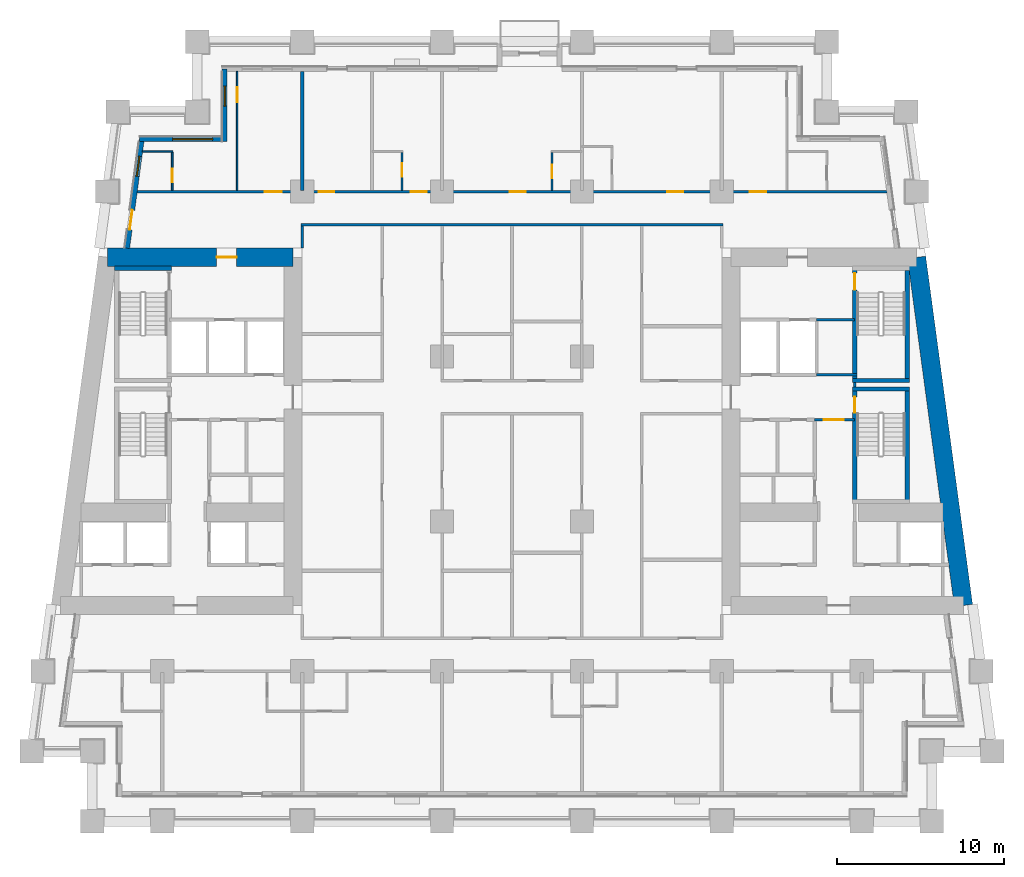
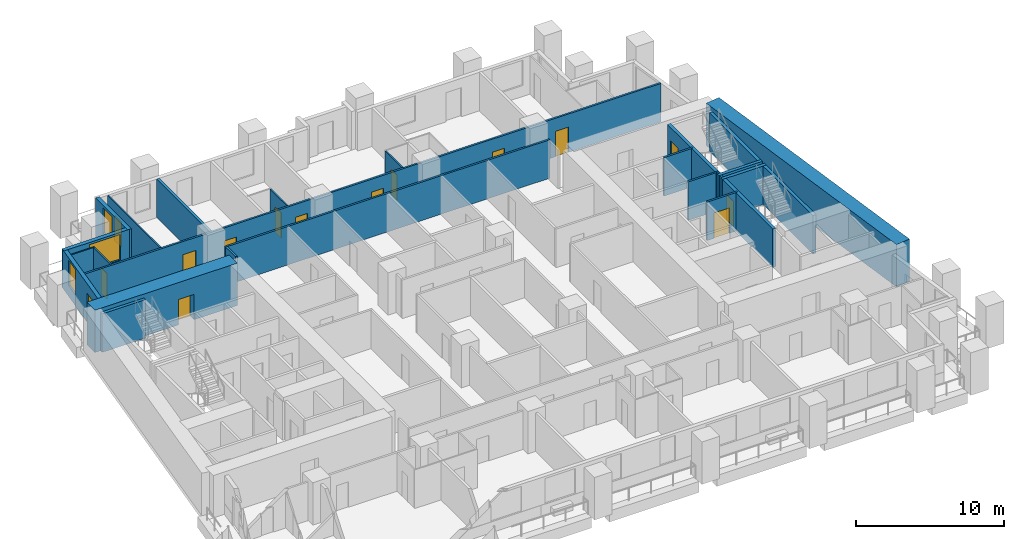
# One storey, part 6 of 13: 25 walls, 15 doors, 3 windows, 18 openings.
"""IFC4 building model written with IfcOpenShell, lengths in metres."""

from ifc_helpers import new_model, si_unit, direction, frame, frame_2d, origin, place, context, subcontext, project, spatial, rectangle, extrude, material, layer, layer_set, type_object, element, fill, save


model = new_model("IFC4")

# Units and contexts
model_context = context("Model", 3, precision=1e-05, world=origin(), true_north=direction((0.0, 1.0)))
body_context = subcontext(model_context, "Body", "Model", "MODEL_VIEW")
ifc_project = project(units=[si_unit("LENGTHUNIT", "METRE"), si_unit("AREAUNIT", "SQUARE_METRE"), si_unit("VOLUMEUNIT", "CUBIC_METRE"), si_unit("PLANEANGLEUNIT", "RADIAN"), si_unit("MASSUNIT", "GRAM", prefix="KILO")], contexts=[model_context])

# Site, building, storey
site_placement = place(None, origin())
site = spatial("IfcSite", under=ifc_project, at=site_placement, CompositionType="ELEMENT")
building_placement = place(site_placement, origin())
building = spatial("IfcBuilding", under=site, at=building_placement, Name="Candeia Pilgrim Tower and Theatre", CompositionType="ELEMENT")
storey_placement = place(building_placement, frame((0.0, 0.0, 56.5)))
storey = spatial("IfcBuildingStorey", under=building, at=storey_placement, Name="L11", CompositionType="ELEMENT", Elevation=56.5)

# Wall, opening, door
ifc_material_1 = material(Name="Concrete C80/95", Category="concrete")
ifc_layer_1 = layer(ifc_material_1, 1.10009765625)
ifc_layer_set_1 = layer_set([ifc_layer_1], Name="Core wall 1100 C80/95")
wall_type_1 = type_object("IfcWallType", Name="Core wall 1100 C80/95", PredefinedType="SHEAR", material=ifc_layer_set_1)
wall_1_placement = place(storey_placement, frame((89.111572265625, 131.85009765625, 0.0), z_axis=(0.0, 0.0, 1.0), x_axis=(1.0, 0.0, 0.0)))
wall_1 = element("IfcWall", 1, at=wall_1_placement, inside=storey, type_object=wall_type_1, Name="Core wall W1", PredefinedType="SHEAR", context=body_context, shape_type="SweptSolid", body=[
    extrude(rectangle(XDim=11.138427734375, YDim=1.10009765625, at=frame_2d((5.5693359375, 0.0))), origin(), (0.0, 0.0, 1.0), 3.5),
])
opening_1_placement = place(wall_1_placement, frame((6.5517578125, 0.0, 0.0)))
opening_1 = element("IfcOpeningElement", 2, at=opening_1_placement, cuts=wall_1, Name="Opening L11-D060", PredefinedType="OPENING", context=body_context, shape_type="SweptSolid", body=[
    extrude(rectangle(XDim=1.199951171875, YDim=2.10009765625, at=frame_2d((0.60009765625, 1.050048828125))), frame((0.0, 0.56005859375, 0.0), z_axis=(0.0, -1.0, 0.0), x_axis=(1.0, 0.0, 0.0)), (0.0, 0.0, 1.0), 1.1201171875),
])
ifc_material_2 = material(Name="Steel fire door set", Category="steel")
door_type_1 = type_object("IfcDoorType", Name="D-1200-FD60", OperationType="NOTDEFINED", PredefinedType="DOOR", material=ifc_material_2)
door_1_placement = place(opening_1_placement, origin())
door_1 = element("IfcDoor", 3, at=door_1_placement, inside=storey, type_object=door_type_1, Name="Door L11-D060", OperationType="SINGLE_SWING_LEFT", OverallHeight=2.10009765625, OverallWidth=1.199951171875, PredefinedType="DOOR", context=body_context, shape_type="SweptSolid", body=[
    extrude(rectangle(XDim=1.199951171875, YDim=2.10009765625, at=frame_2d((0.60009765625, 1.050048828125))), frame((0.0, 0.02490234375, 0.0), z_axis=(0.0, -1.0, 0.0), x_axis=(1.0, 0.0, 0.0)), (0.0, 0.0, 1.0), 0.050048828125),
])
fill(opening_1, door_1)

# Wall
wall_2_placement = place(storey_placement, frame((137.688232421875, 131.85009765625, 0.0), z_axis=(0.0, 0.0, 1.0), x_axis=(0.133411793472, -0.991060691059, 0.0)))
element("IfcWall", 4, at=wall_2_placement, inside=storey, type_object=wall_type_1, Name="Core wall E2", PredefinedType="SHEAR", context=body_context, shape_type="SweptSolid", body=[
    extrude(rectangle(XDim=21.088623046875, YDim=1.10009765625, at=frame_2d((10.54443359375, 0.0))), origin(), (0.0, 0.0, 1.0), 3.5),
])

# Wall, opening, window
ifc_material_3 = material(Name="Ceramic block masonry", Category="masonry")
ifc_layer_2 = layer(ifc_material_3, 0.300048828125)
ifc_layer_set_2 = layer_set([ifc_layer_2], Name="EW1 glazing-line wall 300")
wall_type_2 = type_object("IfcWallType", Name="EW1 glazing-line wall 300", PredefinedType="SOLIDWALL", material=ifc_layer_set_2)
wall_3_placement = place(storey_placement, frame((96.14990234375, 143.14990234375, 0.0), z_axis=(0.0, 0.0, 1.0), x_axis=(0.0, -1.0, 0.0)))
wall_3 = element("IfcWall", 5, at=wall_3_placement, inside=storey, type_object=wall_type_2, Name="External wall L11-7.0", PredefinedType="SOLIDWALL", context=body_context, shape_type="SweptSolid", body=[
    extrude(rectangle(XDim=4.349853515625, YDim=0.300048828125, at=frame_2d((2.1748046875, 0.0))), origin(), (0.0, 0.0, 1.0), 3.179931640625),
])
opening_2_placement = place(wall_3_placement, frame((1.02490234375, 0.0, 0.89990234375)))
opening_2 = element("IfcOpeningElement", 6, at=opening_2_placement, cuts=wall_3, Name="Opening W-B", PredefinedType="OPENING", context=body_context, shape_type="SweptSolid", body=[
    extrude(rectangle(XDim=1.199951171875, YDim=2.10009765625, at=frame_2d((0.60009765625, 1.050048828125))), frame((0.0, 0.16015625, 0.0), z_axis=(0.0, -1.0, 0.0), x_axis=(1.0, 0.0, 0.0)), (0.0, 0.0, 1.0), 0.320068359375),
])
ifc_material_4 = material(Name="Aluminium framed double glazing", Category="aluminium")
window_type_1 = type_object("IfcWindowType", Name="W-B window 1200x2100", PartitioningType="SINGLE_PANEL", PredefinedType="WINDOW", material=ifc_material_4)
window_1_placement = place(opening_2_placement, origin())
window_1 = element("IfcWindow", 7, at=window_1_placement, inside=storey, type_object=window_type_1, Name="Window W-B L11", OverallHeight=2.10009765625, OverallWidth=1.199951171875, PartitioningType="SINGLE_PANEL", PredefinedType="WINDOW", context=body_context, shape_type="SweptSolid", body=[
    extrude(rectangle(XDim=1.199951171875, YDim=2.10009765625, at=frame_2d((0.60009765625, 1.050048828125))), frame((0.0, 0.030029296875, 0.0), z_axis=(0.0, -1.0, 0.0), x_axis=(1.0, 0.0, 0.0)), (0.0, 0.0, 1.0), 0.06005859375),
])
fill(opening_2, window_1)

wall_4_placement = place(storey_placement, frame((96.14990234375, 138.949951171875, 0.0), z_axis=(0.0, 0.0, 1.0), x_axis=(-1.0, 0.0, 0.0)))
wall_4 = element("IfcWall", 8, at=wall_4_placement, inside=storey, type_object=wall_type_2, Name="External wall L11-8.0", PredefinedType="SOLIDWALL", context=body_context, shape_type="SweptSolid", body=[
    extrude(rectangle(XDim=5.103759765625, YDim=0.300048828125, at=frame_2d((2.5517578125, 0.0))), origin(), (0.0, 0.0, 1.0), 3.179931640625),
])
opening_3_placement = place(wall_4_placement, frame((0.72509765625, 0.0, 0.89990234375)))
opening_3 = element("IfcOpeningElement", 9, at=opening_3_placement, cuts=wall_4, Name="Opening W-A", PredefinedType="OPENING", context=body_context, shape_type="SweptSolid", body=[
    extrude(rectangle(XDim=2.39990234375, YDim=2.10009765625, at=frame_2d((1.199951171875, 1.050048828125))), frame((0.0, 0.16015625, 0.0), z_axis=(0.0, -1.0, 0.0), x_axis=(1.0, 0.0, 0.0)), (0.0, 0.0, 1.0), 0.320068359375),
])
window_type_2 = type_object("IfcWindowType", Name="W-A window 2400x2100", PartitioningType="DOUBLE_PANEL_VERTICAL", PredefinedType="WINDOW", material=ifc_material_4)
window_2_placement = place(opening_3_placement, origin())
window_2 = element("IfcWindow", 10, at=window_2_placement, inside=storey, type_object=window_type_2, Name="Window W-A L11", OverallHeight=2.10009765625, OverallWidth=2.39990234375, PartitioningType="SINGLE_PANEL", PredefinedType="WINDOW", context=body_context, shape_type="SweptSolid", body=[
    extrude(rectangle(XDim=2.39990234375, YDim=2.10009765625, at=frame_2d((1.199951171875, 1.050048828125))), frame((0.0, 0.030029296875, 0.0), z_axis=(0.0, -1.0, 0.0), x_axis=(1.0, 0.0, 0.0)), (0.0, 0.0, 1.0), 0.06005859375),
])
fill(opening_3, window_2)

# Wall, openings, door, window
wall_5_placement = place(storey_placement, frame((91.177490234375, 138.949951171875, 0.0), z_axis=(0.0, 0.0, 1.0), x_axis=(-0.133426664613, -0.991058689065, 0.0)))
wall_5 = element("IfcWall", 11, at=wall_5_placement, inside=storey, type_object=wall_type_2, Name="External wall L11-9.0", PredefinedType="SOLIDWALL", context=body_context, shape_type="SweptSolid", body=[
    extrude(rectangle(XDim=6.609130859375, YDim=0.300048828125, at=frame_2d((3.3046875, 0.0))), origin(), (0.0, 0.0, 1.0), 3.179931640625),
])
opening_4_placement = place(wall_5_placement, frame((1.039306640625, 0.0, 0.89990234375)))
opening_4 = element("IfcOpeningElement", 12, at=opening_4_placement, cuts=wall_5, Name="Opening W-B", PredefinedType="OPENING", context=body_context, shape_type="SweptSolid", body=[
    extrude(rectangle(XDim=1.199951171875, YDim=2.10009765625, at=frame_2d((0.60009765625, 1.050048828125))), frame((0.0, 0.16015625, 0.0), z_axis=(0.0, -1.0, 0.0), x_axis=(1.0, 0.0, 0.0)), (0.0, 0.0, 1.0), 0.320068359375),
])
opening_5_placement = place(wall_5_placement, frame((4.293701171875, 0.0, 0.0)))
opening_5 = element("IfcOpeningElement", 13, at=opening_5_placement, cuts=wall_5, Name="Opening L11-ED135", PredefinedType="OPENING", context=body_context, shape_type="SweptSolid", body=[
    extrude(rectangle(XDim=1.199951171875, YDim=2.39990234375, at=frame_2d((0.60009765625, 1.199951171875))), frame((0.0, 0.16015625, 0.0), z_axis=(0.0, -1.0, 0.0), x_axis=(1.0, 0.0, 0.0)), (0.0, 0.0, 1.0), 0.320068359375),
])
ifc_material_5 = material(Name="Aluminium framed glazed door", Category="aluminium")
door_type_2 = type_object("IfcDoorType", Name="Loggia door 1200x2400", OperationType="DOUBLE_DOOR_SINGLE_SWING", PredefinedType="DOOR", material=ifc_material_5)
door_2_placement = place(opening_5_placement, origin())
door_2 = element("IfcDoor", 14, at=door_2_placement, inside=storey, type_object=door_type_2, Name="Loggia door L11-ED135", OperationType="DOUBLE_DOOR_SINGLE_SWING", OverallHeight=2.39990234375, OverallWidth=1.199951171875, PredefinedType="DOOR", context=body_context, shape_type="SweptSolid", body=[
    extrude(rectangle(XDim=1.199951171875, YDim=2.39990234375, at=frame_2d((0.60009765625, 1.199951171875))), frame((0.0, 0.02490234375, 0.0), z_axis=(0.0, -1.0, 0.0), x_axis=(1.0, 0.0, 0.0)), (0.0, 0.0, 1.0), 0.050048828125),
])
fill(opening_5, door_2)
window_3_placement = place(opening_4_placement, origin())
window_3 = element("IfcWindow", 15, at=window_3_placement, inside=storey, type_object=window_type_1, Name="Window W-B L11", OverallHeight=2.10009765625, OverallWidth=1.199951171875, PartitioningType="SINGLE_PANEL", PredefinedType="WINDOW", context=body_context, shape_type="SweptSolid", body=[
    extrude(rectangle(XDim=1.199951171875, YDim=2.10009765625, at=frame_2d((0.60009765625, 1.050048828125))), frame((0.0, 0.030029296875, 0.0), z_axis=(0.0, -1.0, 0.0), x_axis=(1.0, 0.0, 0.0)), (0.0, 0.0, 1.0), 0.06005859375),
])
fill(opening_4, window_3)

# Wall
ifc_material_6 = material(Name="Gypsum board partition on steel studs", Category="steel")
ifc_layer_3 = layer(ifc_material_6, 0.10009765625)
ifc_layer_set_3 = layer_set([ifc_layer_3], Name="PW-100 room partition")
wall_type_3 = type_object("IfcWallType", Name="PW-100 room partition", PredefinedType="PARTITIONING", material=ifc_layer_set_3)
wall_6_placement = place(storey_placement, frame((91.2177734375, 138.199951171875, 0.0), z_axis=(0.0, 0.0, 1.0), x_axis=(1.0, 0.0, 0.0)))
element("IfcWall", 16, at=wall_6_placement, inside=storey, type_object=wall_type_3, Name="Room partition L11-049", PredefinedType="PARTITIONING", context=body_context, shape_type="SweptSolid", body=[
    extrude(rectangle(XDim=1.832275390625, YDim=0.10009765625, at=frame_2d((0.916015625, 0.0))), origin(), (0.0, 0.0, 1.0), 3.179931640625),
])

# Wall, opening, door
wall_7_placement = place(storey_placement, frame((93.0, 135.875, 0.0), z_axis=(0.0, 0.0, 1.0), x_axis=(0.0, 1.0, 0.0)))
wall_7 = element("IfcWall", 17, at=wall_7_placement, inside=storey, type_object=wall_type_3, Name="Room partition L11-066", PredefinedType="PARTITIONING", context=body_context, shape_type="SweptSolid", body=[
    extrude(rectangle(XDim=2.27490234375, YDim=0.10009765625, at=frame_2d((1.137451171875, 0.0))), origin(), (0.0, 0.0, 1.0), 3.179931640625),
])
opening_6_placement = place(wall_7_placement, frame((0.5, 0.0, 0.0)))
opening_6 = element("IfcOpeningElement", 18, at=opening_6_placement, cuts=wall_7, Name="Opening L11-D032", PredefinedType="OPENING", context=body_context, shape_type="SweptSolid", body=[
    extrude(rectangle(XDim=0.800048828125, YDim=2.10009765625, at=frame_2d((0.39990234375, 1.050048828125))), frame((0.0, 0.06005859375, 0.0), z_axis=(0.0, -1.0, 0.0), x_axis=(1.0, 0.0, 0.0)), (0.0, 0.0, 1.0), 0.1201171875),
])
ifc_material_7 = material(Name="Timber door leaf", Category="wood")
door_type_3 = type_object("IfcDoorType", Name="D-800", OperationType="NOTDEFINED", PredefinedType="DOOR", material=ifc_material_7)
door_3_placement = place(opening_6_placement, origin())
door_3 = element("IfcDoor", 19, at=door_3_placement, inside=storey, type_object=door_type_3, Name="Door L11-D032", OperationType="SINGLE_SWING_LEFT", OverallHeight=2.10009765625, OverallWidth=0.800048828125, PredefinedType="DOOR", context=body_context, shape_type="SweptSolid", body=[
    extrude(rectangle(XDim=0.800048828125, YDim=2.10009765625, at=frame_2d((0.39990234375, 1.050048828125))), frame((0.0, 0.02490234375, 0.0), z_axis=(0.0, -1.0, 0.0), x_axis=(1.0, 0.0, 0.0)), (0.0, 0.0, 1.0), 0.050048828125),
])
fill(opening_6, door_3)

wall_8_placement = place(storey_placement, frame((96.89990234375, 135.875, 0.0), z_axis=(0.0, 0.0, 1.0), x_axis=(0.0, 1.0, 0.0)))
wall_8 = element("IfcWall", 20, at=wall_8_placement, inside=storey, type_object=wall_type_3, Name="Room partition L11-071", PredefinedType="PARTITIONING", context=body_context, shape_type="SweptSolid", body=[
    extrude(rectangle(XDim=7.135009765625, YDim=0.10009765625, at=frame_2d((3.5673828125, 0.0))), origin(), (0.0, 0.0, 1.0), 3.179931640625),
])
opening_7_placement = place(wall_8_placement, frame((5.2900390625, 0.0, 0.0)))
opening_7 = element("IfcOpeningElement", 21, at=opening_7_placement, cuts=wall_8, Name="Opening L11-D031", PredefinedType="OPENING", context=body_context, shape_type="SweptSolid", body=[
    extrude(rectangle(XDim=0.89990234375, YDim=2.10009765625, at=frame_2d((0.449951171875, 1.050048828125))), frame((0.0, 0.06005859375, 0.0), z_axis=(0.0, -1.0, 0.0), x_axis=(1.0, 0.0, 0.0)), (0.0, 0.0, 1.0), 0.1201171875),
])
door_type_4 = type_object("IfcDoorType", Name="D-900", OperationType="NOTDEFINED", PredefinedType="DOOR", material=ifc_material_7)
door_4_placement = place(opening_7_placement, origin())
door_4 = element("IfcDoor", 22, at=door_4_placement, inside=storey, type_object=door_type_4, Name="Door L11-D031", OperationType="SINGLE_SWING_RIGHT", OverallHeight=2.10009765625, OverallWidth=0.89990234375, PredefinedType="DOOR", context=body_context, shape_type="SweptSolid", body=[
    extrude(rectangle(XDim=0.89990234375, YDim=2.10009765625, at=frame_2d((0.449951171875, 1.050048828125))), frame((0.0, 0.02490234375, 0.0), z_axis=(0.0, -1.0, 0.0), x_axis=(1.0, 0.0, 0.0)), (0.0, 0.0, 1.0), 0.050048828125),
])
fill(opening_7, door_4)

wall_9_placement = place(storey_placement, frame((106.800048828125, 135.875, 0.0), z_axis=(0.0, 0.0, 1.0), x_axis=(0.0, 1.0, 0.0)))
wall_9 = element("IfcWall", 23, at=wall_9_placement, inside=storey, type_object=wall_type_3, Name="Room partition L11-085", PredefinedType="PARTITIONING", context=body_context, shape_type="SweptSolid", body=[
    extrude(rectangle(XDim=2.27490234375, YDim=0.10009765625, at=frame_2d((1.137451171875, 0.0))), origin(), (0.0, 0.0, 1.0), 3.179931640625),
])
opening_8_placement = place(wall_9_placement, frame((0.81494140625, 0.0, 0.0)))
opening_8 = element("IfcOpeningElement", 24, at=opening_8_placement, cuts=wall_9, Name="Opening L11-D035", PredefinedType="OPENING", context=body_context, shape_type="SweptSolid", body=[
    extrude(rectangle(XDim=0.800048828125, YDim=2.10009765625, at=frame_2d((0.39990234375, 1.050048828125))), frame((0.0, 0.06005859375, 0.0), z_axis=(0.0, -1.0, 0.0), x_axis=(1.0, 0.0, 0.0)), (0.0, 0.0, 1.0), 0.1201171875),
])
door_5_placement = place(opening_8_placement, origin())
door_5 = element("IfcDoor", 25, at=door_5_placement, inside=storey, type_object=door_type_3, Name="Door L11-D035", OperationType="SINGLE_SWING_RIGHT", OverallHeight=2.10009765625, OverallWidth=0.800048828125, PredefinedType="DOOR", context=body_context, shape_type="SweptSolid", body=[
    extrude(rectangle(XDim=0.800048828125, YDim=2.10009765625, at=frame_2d((0.39990234375, 1.050048828125))), frame((0.0, 0.02490234375, 0.0), z_axis=(0.0, -1.0, 0.0), x_axis=(1.0, 0.0, 0.0)), (0.0, 0.0, 1.0), 0.050048828125),
])
fill(opening_8, door_5)

wall_10_placement = place(storey_placement, frame((115.800048828125, 135.875, 0.0), z_axis=(0.0, 0.0, 1.0), x_axis=(0.0, 1.0, 0.0)))
wall_10 = element("IfcWall", 26, at=wall_10_placement, inside=storey, type_object=wall_type_3, Name="Room partition L11-093", PredefinedType="PARTITIONING", context=body_context, shape_type="SweptSolid", body=[
    extrude(rectangle(XDim=2.27490234375, YDim=0.10009765625, at=frame_2d((1.137451171875, 0.0))), origin(), (0.0, 0.0, 1.0), 3.179931640625),
])
opening_9_placement = place(wall_10_placement, frame((0.72509765625, 0.0, 0.0)))
opening_9 = element("IfcOpeningElement", 27, at=opening_9_placement, cuts=wall_10, Name="Opening L11-D037", PredefinedType="OPENING", context=body_context, shape_type="SweptSolid", body=[
    extrude(rectangle(XDim=0.800048828125, YDim=2.10009765625, at=frame_2d((0.39990234375, 1.050048828125))), frame((0.0, 0.06005859375, 0.0), z_axis=(0.0, -1.0, 0.0), x_axis=(1.0, 0.0, 0.0)), (0.0, 0.0, 1.0), 0.1201171875),
])
door_6_placement = place(opening_9_placement, origin())
door_6 = element("IfcDoor", 28, at=door_6_placement, inside=storey, type_object=door_type_3, Name="Door L11-D037", OperationType="SINGLE_SWING_RIGHT", OverallHeight=2.10009765625, OverallWidth=0.800048828125, PredefinedType="DOOR", context=body_context, shape_type="SweptSolid", body=[
    extrude(rectangle(XDim=0.800048828125, YDim=2.10009765625, at=frame_2d((0.39990234375, 1.050048828125))), frame((0.0, 0.02490234375, 0.0), z_axis=(0.0, -1.0, 0.0), x_axis=(1.0, 0.0, 0.0)), (0.0, 0.0, 1.0), 0.050048828125),
])
fill(opening_9, door_6)

ifc_layer_4 = layer(ifc_material_6, 0.14990234375)
ifc_layer_set_4 = layer_set([ifc_layer_4], Name="PW-150 lobby wall")
wall_type_4 = type_object("IfcWallType", Name="PW-150 lobby wall", PredefinedType="PARTITIONING", material=ifc_layer_set_4)
wall_11_placement = place(storey_placement, frame((131.572998046875, 122.10009765625, 0.0), z_axis=(0.0, 0.0, 1.0), x_axis=(1.0, 0.0, 0.0)))
wall_11 = element("IfcWall", 29, at=wall_11_placement, inside=storey, type_object=wall_type_4, Name="Lobby wall L11-024", PredefinedType="PARTITIONING", context=body_context, shape_type="SweptSolid", body=[
    extrude(rectangle(XDim=2.39990234375, YDim=0.14990234375, at=frame_2d((1.199951171875, 0.0))), origin(), (0.0, 0.0, 1.0), 3.179931640625),
])
opening_10_placement = place(wall_11_placement, frame((0.550048828125, 0.0, 0.0)))
opening_10 = element("IfcOpeningElement", 30, at=opening_10_placement, cuts=wall_11, Name="Opening L11-D008", PredefinedType="OPENING", context=body_context, shape_type="SweptSolid", body=[
    extrude(rectangle(XDim=1.199951171875, YDim=2.10009765625, at=frame_2d((0.60009765625, 1.050048828125))), frame((0.0, 0.0849609375, 0.0), z_axis=(0.0, -1.0, 0.0), x_axis=(1.0, 0.0, 0.0)), (0.0, 0.0, 1.0), 0.169921875),
])
door_7_placement = place(opening_10_placement, origin())
door_7 = element("IfcDoor", 31, at=door_7_placement, inside=storey, type_object=door_type_1, Name="Door L11-D008", OperationType="SINGLE_SWING_RIGHT", OverallHeight=2.10009765625, OverallWidth=1.199951171875, PredefinedType="DOOR", context=body_context, shape_type="SweptSolid", body=[
    extrude(rectangle(XDim=1.199951171875, YDim=2.10009765625, at=frame_2d((0.60009765625, 1.050048828125))), frame((0.0, 0.02490234375, 0.0), z_axis=(0.0, -1.0, 0.0), x_axis=(1.0, 0.0, 0.0)), (0.0, 0.0, 1.0), 0.050048828125),
])
fill(opening_10, door_7)

# Walls
wall_12_placement = place(storey_placement, frame((131.681884765625, 124.800048828125, 0.0), z_axis=(0.0, 0.0, 1.0), x_axis=(1.0, 0.0, 0.0)))
element("IfcWall", 32, at=wall_12_placement, inside=storey, type_object=wall_type_4, Name="Lobby wall L11-037", PredefinedType="PARTITIONING", context=body_context, shape_type="SweptSolid", body=[
    extrude(rectangle(XDim=2.416015625, YDim=0.14990234375, at=frame_2d((1.2080078125, 0.0))), origin(), (0.0, 0.0, 1.0), 3.179931640625),
])
wall_13_placement = place(storey_placement, frame((131.681884765625, 128.10009765625, 0.0), z_axis=(0.0, 0.0, 1.0), x_axis=(1.0, 0.0, 0.0)))
element("IfcWall", 33, at=wall_13_placement, inside=storey, type_object=wall_type_4, Name="Lobby wall L11-044", PredefinedType="PARTITIONING", context=body_context, shape_type="SweptSolid", body=[
    extrude(rectangle(XDim=2.291015625, YDim=0.14990234375, at=frame_2d((1.1455078125, 0.0))), origin(), (0.0, 0.0, 1.0), 3.179931640625),
])
wall_14_placement = place(storey_placement, frame((133.972900390625, 124.074951171875, 0.0), z_axis=(0.0, 0.0, 1.0), x_axis=(0.0, 1.0, 0.0)))
element("IfcWall", 34, at=wall_14_placement, inside=storey, type_object=wall_type_4, Name="Lobby wall L11-118", PredefinedType="PARTITIONING", context=body_context, shape_type="SweptSolid", body=[
    extrude(rectangle(XDim=0.25, YDim=0.14990234375, at=frame_2d((0.125, 0.0))), origin(), (0.0, 0.0, 1.0), 3.179931640625),
])
ifc_layer_5 = layer(ifc_material_6, 0.14990234375)
ifc_layer_set_5 = layer_set([ifc_layer_5], Name="PW-150 unit wall")
wall_type_5 = type_object("IfcWallType", Name="PW-150 unit wall", PredefinedType="PARTITIONING", material=ifc_layer_set_5)
wall_15_placement = place(storey_placement, frame((100.72509765625, 133.800048828125, 0.0), z_axis=(0.0, 0.0, 1.0), x_axis=(1.0, 0.0, 0.0)))
element("IfcWall", 35, at=wall_15_placement, inside=storey, type_object=wall_type_5, Name="Unit wall L11-047", PredefinedType="PARTITIONING", context=body_context, shape_type="SweptSolid", body=[
    extrude(rectangle(XDim=25.349853515625, YDim=0.14990234375, at=frame_2d((12.6748046875, 0.0))), origin(), (0.0, 0.0, 1.0), 3.179931640625),
])

# Wall, openings, doors
wall_16_placement = place(storey_placement, frame((90.89453125, 135.800048828125, 0.0), z_axis=(0.0, 0.0, 1.0), x_axis=(1.0, 0.0, 0.0)))
wall_16 = element("IfcWall", 36, at=wall_16_placement, inside=storey, type_object=wall_type_5, Name="Unit wall L11-048", PredefinedType="PARTITIONING", context=body_context, shape_type="SweptSolid", body=[
    extrude(rectangle(XDim=45.010986328125, YDim=0.14990234375, at=frame_2d((22.50537109375, 0.0))), origin(), (0.0, 0.0, 1.0), 3.179931640625),
])
opening_11_placement = place(wall_16_placement, frame((7.67529296875, 0.0, 0.0)))
opening_11 = element("IfcOpeningElement", 37, at=opening_11_placement, cuts=wall_16, Name="Opening L11-D030", PredefinedType="OPENING", context=body_context, shape_type="SweptSolid", body=[
    extrude(rectangle(XDim=1.0, YDim=2.10009765625, at=frame_2d((0.5, 1.050048828125))), frame((0.0, 0.0849609375, 0.0), z_axis=(0.0, -1.0, 0.0), x_axis=(1.0, 0.0, 0.0)), (0.0, 0.0, 1.0), 0.169921875),
])
opening_12_placement = place(wall_16_placement, frame((10.892333984375, 0.0, 0.0)))
opening_12 = element("IfcOpeningElement", 38, at=opening_12_placement, cuts=wall_16, Name="Opening L11-D033", PredefinedType="OPENING", context=body_context, shape_type="SweptSolid", body=[
    extrude(rectangle(XDim=0.949951171875, YDim=2.10009765625, at=frame_2d((0.47509765625, 1.050048828125))), frame((0.0, 0.0849609375, 0.0), z_axis=(0.0, -1.0, 0.0), x_axis=(1.0, 0.0, 0.0)), (0.0, 0.0, 1.0), 0.169921875),
])
opening_13_placement = place(wall_16_placement, frame((16.4423828125, 0.0, 0.0)))
opening_13 = element("IfcOpeningElement", 39, at=opening_13_placement, cuts=wall_16, Name="Opening L11-D034", PredefinedType="OPENING", context=body_context, shape_type="SweptSolid", body=[
    extrude(rectangle(XDim=0.949951171875, YDim=2.10009765625, at=frame_2d((0.47509765625, 1.050048828125))), frame((0.0, 0.0849609375, 0.0), z_axis=(0.0, -1.0, 0.0), x_axis=(1.0, 0.0, 0.0)), (0.0, 0.0, 1.0), 0.169921875),
])
opening_14_placement = place(wall_16_placement, frame((22.368408203125, 0.0, 0.0)))
opening_14 = element("IfcOpeningElement", 40, at=opening_14_placement, cuts=wall_16, Name="Opening L11-D036", PredefinedType="OPENING", context=body_context, shape_type="SweptSolid", body=[
    extrude(rectangle(XDim=0.949951171875, YDim=2.10009765625, at=frame_2d((0.47509765625, 1.050048828125))), frame((0.0, 0.0849609375, 0.0), z_axis=(0.0, -1.0, 0.0), x_axis=(1.0, 0.0, 0.0)), (0.0, 0.0, 1.0), 0.169921875),
])
opening_15_placement = place(wall_16_placement, frame((31.825439453125, 0.0, 0.0)))
opening_15 = element("IfcOpeningElement", 41, at=opening_15_placement, cuts=wall_16, Name="Opening L11-D038", PredefinedType="OPENING", context=body_context, shape_type="SweptSolid", body=[
    extrude(rectangle(XDim=0.949951171875, YDim=2.10009765625, at=frame_2d((0.47509765625, 1.050048828125))), frame((0.0, 0.0849609375, 0.0), z_axis=(0.0, -1.0, 0.0), x_axis=(1.0, 0.0, 0.0)), (0.0, 0.0, 1.0), 0.169921875),
])
opening_16_placement = place(wall_16_placement, frame((36.775390625, 0.0, 0.0)))
opening_16 = element("IfcOpeningElement", 42, at=opening_16_placement, cuts=wall_16, Name="Opening L11-D040", PredefinedType="OPENING", context=body_context, shape_type="SweptSolid", body=[
    extrude(rectangle(XDim=1.0, YDim=2.10009765625, at=frame_2d((0.5, 1.050048828125))), frame((0.0, 0.0849609375, 0.0), z_axis=(0.0, -1.0, 0.0), x_axis=(1.0, 0.0, 0.0)), (0.0, 0.0, 1.0), 0.169921875),
])
door_type_5 = type_object("IfcDoorType", Name="D-1000-FD30S", OperationType="NOTDEFINED", PredefinedType="DOOR", material=ifc_material_2)
door_8_placement = place(opening_11_placement, origin())
door_8 = element("IfcDoor", 43, at=door_8_placement, inside=storey, type_object=door_type_5, Name="Door L11-D030", OperationType="SINGLE_SWING_LEFT", OverallHeight=2.10009765625, OverallWidth=1.0, PredefinedType="DOOR", context=body_context, shape_type="SweptSolid", body=[
    extrude(rectangle(XDim=1.0, YDim=2.10009765625, at=frame_2d((0.5, 1.050048828125))), frame((0.0, 0.02490234375, 0.0), z_axis=(0.0, -1.0, 0.0), x_axis=(1.0, 0.0, 0.0)), (0.0, 0.0, 1.0), 0.050048828125),
])
fill(opening_11, door_8)
door_9_placement = place(opening_16_placement, origin())
door_9 = element("IfcDoor", 44, at=door_9_placement, inside=storey, type_object=door_type_5, Name="Door L11-D040", OperationType="SINGLE_SWING_LEFT", OverallHeight=2.10009765625, OverallWidth=1.0, PredefinedType="DOOR", context=body_context, shape_type="SweptSolid", body=[
    extrude(rectangle(XDim=1.0, YDim=2.10009765625, at=frame_2d((0.5, 1.050048828125))), frame((0.0, 0.02490234375, 0.0), z_axis=(0.0, -1.0, 0.0), x_axis=(1.0, 0.0, 0.0)), (0.0, 0.0, 1.0), 0.050048828125),
])
fill(opening_16, door_9)
door_type_6 = type_object("IfcDoorType", Name="D-950-FD30S", OperationType="NOTDEFINED", PredefinedType="DOOR", material=ifc_material_2)
door_10_placement = place(opening_12_placement, origin())
door_10 = element("IfcDoor", 45, at=door_10_placement, inside=storey, type_object=door_type_6, Name="Door L11-D033", OperationType="SINGLE_SWING_RIGHT", OverallHeight=2.10009765625, OverallWidth=0.949951171875, PredefinedType="DOOR", context=body_context, shape_type="SweptSolid", body=[
    extrude(rectangle(XDim=0.949951171875, YDim=2.10009765625, at=frame_2d((0.47509765625, 1.050048828125))), frame((0.0, 0.02490234375, 0.0), z_axis=(0.0, -1.0, 0.0), x_axis=(1.0, 0.0, 0.0)), (0.0, 0.0, 1.0), 0.050048828125),
])
fill(opening_12, door_10)
door_11_placement = place(opening_13_placement, origin())
door_11 = element("IfcDoor", 46, at=door_11_placement, inside=storey, type_object=door_type_6, Name="Door L11-D034", OperationType="SINGLE_SWING_LEFT", OverallHeight=2.10009765625, OverallWidth=0.949951171875, PredefinedType="DOOR", context=body_context, shape_type="SweptSolid", body=[
    extrude(rectangle(XDim=0.949951171875, YDim=2.10009765625, at=frame_2d((0.47509765625, 1.050048828125))), frame((0.0, 0.02490234375, 0.0), z_axis=(0.0, -1.0, 0.0), x_axis=(1.0, 0.0, 0.0)), (0.0, 0.0, 1.0), 0.050048828125),
])
fill(opening_13, door_11)
door_12_placement = place(opening_14_placement, origin())
door_12 = element("IfcDoor", 47, at=door_12_placement, inside=storey, type_object=door_type_6, Name="Door L11-D036", OperationType="SINGLE_SWING_LEFT", OverallHeight=2.10009765625, OverallWidth=0.949951171875, PredefinedType="DOOR", context=body_context, shape_type="SweptSolid", body=[
    extrude(rectangle(XDim=0.949951171875, YDim=2.10009765625, at=frame_2d((0.47509765625, 1.050048828125))), frame((0.0, 0.02490234375, 0.0), z_axis=(0.0, -1.0, 0.0), x_axis=(1.0, 0.0, 0.0)), (0.0, 0.0, 1.0), 0.050048828125),
])
fill(opening_14, door_12)
door_13_placement = place(opening_15_placement, origin())
door_13 = element("IfcDoor", 48, at=door_13_placement, inside=storey, type_object=door_type_6, Name="Door L11-D038", OperationType="SINGLE_SWING_LEFT", OverallHeight=2.10009765625, OverallWidth=0.949951171875, PredefinedType="DOOR", context=body_context, shape_type="SweptSolid", body=[
    extrude(rectangle(XDim=0.949951171875, YDim=2.10009765625, at=frame_2d((0.47509765625, 1.050048828125))), frame((0.0, 0.02490234375, 0.0), z_axis=(0.0, -1.0, 0.0), x_axis=(1.0, 0.0, 0.0)), (0.0, 0.0, 1.0), 0.050048828125),
])
fill(opening_15, door_13)

# Walls
wall_17_placement = place(storey_placement, frame((100.800048828125, 132.39990234375, 0.0), z_axis=(0.0, 0.0, 1.0), x_axis=(0.0, 1.0, 0.0)))
element("IfcWall", 49, at=wall_17_placement, inside=storey, type_object=wall_type_5, Name="Unit wall L11-080", PredefinedType="PARTITIONING", context=body_context, shape_type="SweptSolid", body=[
    extrude(rectangle(XDim=1.3251953125, YDim=0.14990234375, at=frame_2d((0.66259765625, 0.0))), origin(), (0.0, 0.0, 1.0), 3.179931640625),
])
ifc_layer_6 = layer(ifc_material_6, 0.199951171875)
ifc_layer_set_6 = layer_set([ifc_layer_6], Name="PW-200 party wall")
wall_type_6 = type_object("IfcWallType", Name="PW-200 party wall", PredefinedType="PARTITIONING", material=ifc_layer_set_6)
wall_18_placement = place(storey_placement, frame((100.800048828125, 135.875, 0.0), z_axis=(0.0, 0.0, 1.0), x_axis=(0.0, 1.0, 0.0)))
element("IfcWall", 50, at=wall_18_placement, inside=storey, type_object=wall_type_6, Name="Party wall L11-078", PredefinedType="PARTITIONING", context=body_context, shape_type="SweptSolid", body=[
    extrude(rectangle(XDim=7.135009765625, YDim=0.199951171875, at=frame_2d((3.5673828125, 0.0))), origin(), (0.0, 0.0, 1.0), 3.179931640625),
])
ifc_material_8 = material(Name="Concrete C40/50", Category="concrete")
ifc_layer_7 = layer(ifc_material_8, 0.25)
ifc_layer_set_7 = layer_set([ifc_layer_7], Name="SW-250 stair wall")
wall_type_7 = type_object("IfcWallType", Name="SW-250 stair wall", PredefinedType="PARTITIONING", material=ifc_layer_set_7)
for number, where, z_axis, x_axis, name in (
    (51, (133.847900390625, 123.949951171875, 0.0), (0.0, 0.0, 1.0), (1.0, 0.0, 0.0), "Stair wall L11-029"),
    (52, (133.847900390625, 124.449951171875, 0.0), (0.0, 0.0, 1.0), (1.0, 0.0, 0.0), "Stair wall L11-031"),
):
    element("IfcWall", number, at=place(storey_placement, frame(where, z_axis=z_axis, x_axis=x_axis)), inside=storey, type_object=wall_type_7, Name=name, PredefinedType="PARTITIONING", context=body_context, shape_type="SweptSolid", body=[
        extrude(rectangle(XDim=3.400146484375, YDim=0.25, at=frame_2d((1.7001953125, 0.0))), origin(), (0.0, 0.0, 1.0), 3.179931640625),
    ])
wall_19_placement = place(storey_placement, frame((89.552001953125, 131.199951171875, 0.0), z_axis=(0.0, 0.0, 1.0), x_axis=(1.0, 0.0, 0.0)))
element("IfcWall", 53, at=wall_19_placement, inside=storey, type_object=wall_type_7, Name="Stair wall L11-045", PredefinedType="PARTITIONING", context=body_context, shape_type="SweptSolid", body=[
    extrude(rectangle(XDim=3.39990234375, YDim=0.25, at=frame_2d((1.699951171875, 0.0))), origin(), (0.0, 0.0, 1.0), 3.179931640625),
])

# Wall, opening, door
wall_20_placement = place(storey_placement, frame((133.972900390625, 117.070068359375, 0.0), z_axis=(0.0, 0.0, 1.0), x_axis=(0.0, 1.0, 0.0)))
wall_20 = element("IfcWall", 54, at=wall_20_placement, inside=storey, type_object=wall_type_7, Name="Stair wall L11-119", PredefinedType="PARTITIONING", context=body_context, shape_type="SweptSolid", body=[
    extrude(rectangle(XDim=6.7548828125, YDim=0.25, at=frame_2d((3.37744140625, 0.0))), origin(), (0.0, 0.0, 1.0), 3.179931640625),
])
opening_17_placement = place(wall_20_placement, frame((5.455078125, 0.0, 0.0)))
opening_17 = element("IfcOpeningElement", 55, at=opening_17_placement, cuts=wall_20, Name="Opening L11-D011", PredefinedType="OPENING", context=body_context, shape_type="SweptSolid", body=[
    extrude(rectangle(XDim=0.949951171875, YDim=2.10009765625, at=frame_2d((0.47509765625, 1.050048828125))), frame((0.0, 0.135009765625, 0.0), z_axis=(0.0, -1.0, 0.0), x_axis=(1.0, 0.0, 0.0)), (0.0, 0.0, 1.0), 0.27001953125),
])
door_type_7 = type_object("IfcDoorType", Name="D-950-FD60", OperationType="NOTDEFINED", PredefinedType="DOOR", material=ifc_material_2)
door_14_placement = place(opening_17_placement, origin())
door_14 = element("IfcDoor", 56, at=door_14_placement, inside=storey, type_object=door_type_7, Name="Door L11-D011", OperationType="SINGLE_SWING_LEFT", OverallHeight=2.10009765625, OverallWidth=0.949951171875, PredefinedType="DOOR", context=body_context, shape_type="SweptSolid", body=[
    extrude(rectangle(XDim=0.949951171875, YDim=2.10009765625, at=frame_2d((0.47509765625, 1.050048828125))), frame((0.0, 0.02490234375, 0.0), z_axis=(0.0, -1.0, 0.0), x_axis=(1.0, 0.0, 0.0)), (0.0, 0.0, 1.0), 0.050048828125),
])
fill(opening_17, door_14)

wall_21_placement = place(storey_placement, frame((133.972900390625, 124.574951171875, 0.0), z_axis=(0.0, 0.0, 1.0), x_axis=(0.0, 1.0, 0.0)))
wall_21 = element("IfcWall", 57, at=wall_21_placement, inside=storey, type_object=wall_type_7, Name="Stair wall L11-120", PredefinedType="PARTITIONING", context=body_context, shape_type="SweptSolid", body=[
    extrude(rectangle(XDim=6.755126953125, YDim=0.25, at=frame_2d((3.37744140625, 0.0))), origin(), (0.0, 0.0, 1.0), 3.179931640625),
])
opening_18_placement = place(wall_21_placement, frame((5.324951171875, 0.0, 0.0)))
opening_18 = element("IfcOpeningElement", 58, at=opening_18_placement, cuts=wall_21, Name="Opening L11-D012", PredefinedType="OPENING", context=body_context, shape_type="SweptSolid", body=[
    extrude(rectangle(XDim=1.0, YDim=2.10009765625, at=frame_2d((0.5, 1.050048828125))), frame((0.0, 0.135009765625, 0.0), z_axis=(0.0, -1.0, 0.0), x_axis=(1.0, 0.0, 0.0)), (0.0, 0.0, 1.0), 0.27001953125),
])
door_type_8 = type_object("IfcDoorType", Name="D-1000-FD60", OperationType="NOTDEFINED", PredefinedType="DOOR", material=ifc_material_2)
door_15_placement = place(opening_18_placement, origin())
door_15 = element("IfcDoor", 59, at=door_15_placement, inside=storey, type_object=door_type_8, Name="Door L11-D012", OperationType="SINGLE_SWING_RIGHT", OverallHeight=2.10009765625, OverallWidth=1.0, PredefinedType="DOOR", context=body_context, shape_type="SweptSolid", body=[
    extrude(rectangle(XDim=1.0, YDim=2.10009765625, at=frame_2d((0.5, 1.050048828125))), frame((0.0, 0.02490234375, 0.0), z_axis=(0.0, -1.0, 0.0), x_axis=(1.0, 0.0, 0.0)), (0.0, 0.0, 1.0), 0.050048828125),
])
fill(opening_18, door_15)

# Walls
wall_22_placement = place(storey_placement, frame((137.123046875, 117.070068359375, 0.0), z_axis=(0.0, 0.0, 1.0), x_axis=(0.0, 1.0, 0.0)))
element("IfcWall", 60, at=wall_22_placement, inside=storey, type_object=wall_type_7, Name="Stair wall L11-123", PredefinedType="PARTITIONING", context=body_context, shape_type="SweptSolid", body=[
    extrude(rectangle(XDim=6.7548828125, YDim=0.25, at=frame_2d((3.37744140625, 0.0))), origin(), (0.0, 0.0, 1.0), 3.179931640625),
])
wall_23_placement = place(storey_placement, frame((137.123046875, 124.574951171875, 0.0), z_axis=(0.0, 0.0, 1.0), x_axis=(0.0, 1.0, 0.0)))
element("IfcWall", 61, at=wall_23_placement, inside=storey, type_object=wall_type_7, Name="Stair wall L11-124", PredefinedType="PARTITIONING", context=body_context, shape_type="SweptSolid", body=[
    extrude(rectangle(XDim=6.5, YDim=0.25, at=frame_2d((3.25, 0.0))), origin(), (0.0, 0.0, 1.0), 3.179931640625),
])

save(model, "model.ifc")
